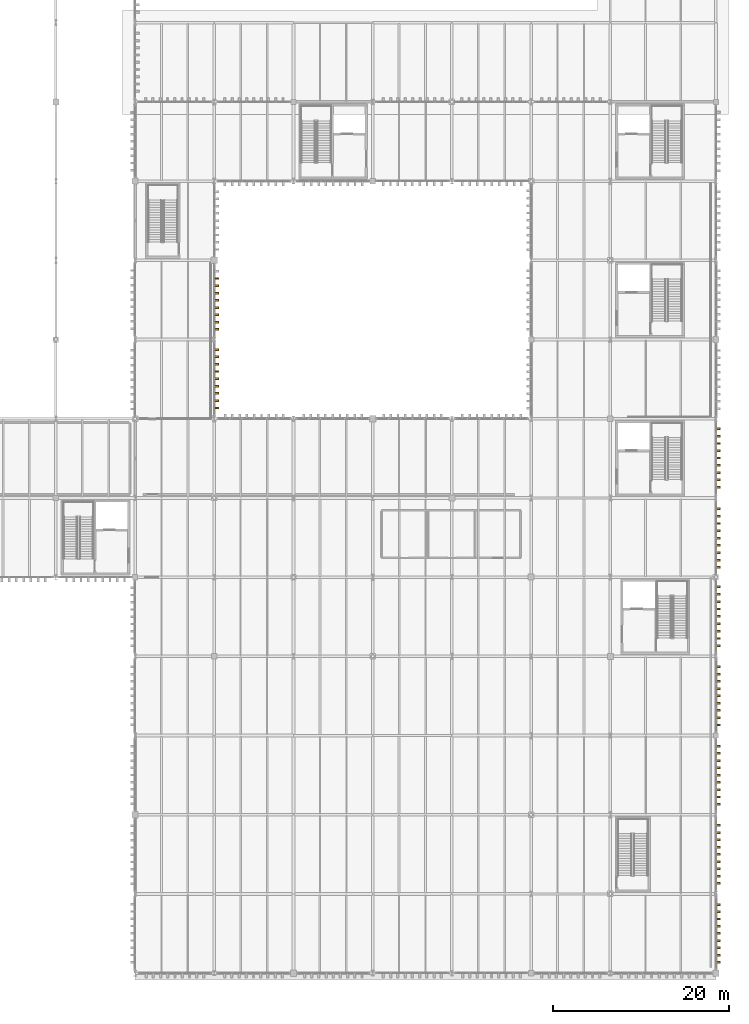
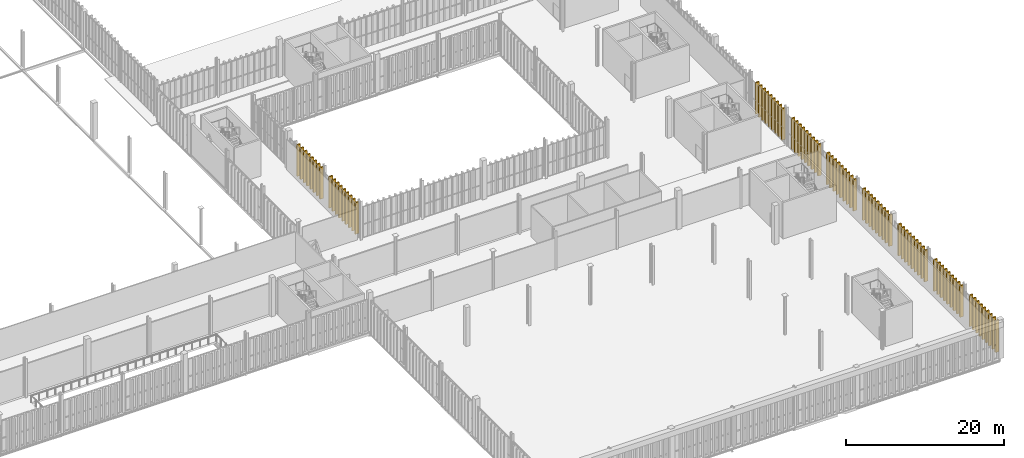
# One storey, part 228 of 237: 80 shading devices.
"""IFC4 building model written with IfcOpenShell, lengths in metres."""

from ifc_helpers import new_model, si_unit, direction, frame, origin, origin_2d, place, context, subcontext, project, spatial, rectangle, extrude, material, type_object, element, save


model = new_model("IFC4")

# Units and contexts
model_context = context("Model", 3, precision=1e-05, world=origin(), true_north=direction((0.0, 1.0)))
body_context = subcontext(model_context, "Body", "Model", "MODEL_VIEW")
ifc_project = project(units=[si_unit("LENGTHUNIT", "METRE"), si_unit("AREAUNIT", "SQUARE_METRE"), si_unit("VOLUMEUNIT", "CUBIC_METRE"), si_unit("PLANEANGLEUNIT", "RADIAN"), si_unit("MASSUNIT", "GRAM", prefix="KILO")], contexts=[model_context])

# Site, building, storey
site_placement = place(None, origin())
site = spatial("IfcSite", under=ifc_project, at=site_placement, CompositionType="ELEMENT")
building_placement = place(site_placement, origin())
building = spatial("IfcBuilding", under=site, at=building_placement, Name="Barlavento Convention Centre", CompositionType="ELEMENT")
storey_placement = place(building_placement, frame((0.0, 0.0, 12.0)))
storey = spatial("IfcBuildingStorey", under=building, at=storey_placement, Name="L02", CompositionType="ELEMENT", Elevation=12.0)

# Shading devices
ifc_material = material(Name="PVDF white extruded aluminium", Category="aluminium")
shading_device_type = type_object("IfcShadingDeviceType", Name="ARC-SHD-FIN-480", PredefinedType="USERDEFINED", material=ifc_material)
for number, where, z_axis, x_axis, name in (
    (1, (192.239990234375, 1.239990234375, 0.0), (0.0, 0.0, 1.0), (0.0, 1.0, 0.0), "White vertical solar shading fin VF01"),
    (2, (192.239990234375, 2.06005859375, 0.0), (0.0, 0.0, 1.0), (0.0, 1.0, 0.0), "White vertical solar shading fin VF01"),
    (3, (192.239990234375, 2.8798828125, 0.0), (0.0, 0.0, 1.0), (0.0, 1.0, 0.0), "White vertical solar shading fin VF01"),
    (4, (192.239990234375, 3.699951171875, 0.0), (0.0, 0.0, 1.0), (0.0, 1.0, 0.0), "White vertical solar shading fin VF01"),
    (5, (192.239990234375, 4.52001953125, 0.0), (0.0, 0.0, 1.0), (0.0, 1.0, 0.0), "White vertical solar shading fin VF01"),
    (6, (192.239990234375, 5.340087890625, 0.0), (0.0, 0.0, 1.0), (0.0, 1.0, 0.0), "White vertical solar shading fin VF01"),
    (7, (192.239990234375, 6.159912109375, 0.0), (0.0, 0.0, 1.0), (0.0, 1.0, 0.0), "White vertical solar shading fin VF01"),
    (8, (192.239990234375, 6.97998046875, 0.0), (0.0, 0.0, 1.0), (0.0, 1.0, 0.0), "White vertical solar shading fin VF01"),
    (9, (192.239990234375, 7.800048828125, 0.0), (0.0, 0.0, 1.0), (0.0, 1.0, 0.0), "White vertical solar shading fin VF01"),
    (10, (192.239990234375, 10.205078125, 0.0), (0.0, 0.0, 1.0), (0.0, 1.0, 0.0), "White vertical solar shading fin VF01"),
    (11, (192.239990234375, 11.030029296875, 0.0), (0.0, 0.0, 1.0), (0.0, 1.0, 0.0), "White vertical solar shading fin VF01"),
    (12, (192.239990234375, 11.85498046875, 0.0), (0.0, 0.0, 1.0), (0.0, 1.0, 0.0), "White vertical solar shading fin VF01"),
    (13, (192.239990234375, 12.679931640625, 0.0), (0.0, 0.0, 1.0), (0.0, 1.0, 0.0), "White vertical solar shading fin VF01"),
    (14, (192.239990234375, 13.5048828125, 0.0), (0.0, 0.0, 1.0), (0.0, 1.0, 0.0), "White vertical solar shading fin VF01"),
    (15, (192.239990234375, 14.330078125, 0.0), (0.0, 0.0, 1.0), (0.0, 1.0, 0.0), "White vertical solar shading fin VF01"),
    (16, (192.239990234375, 15.155029296875, 0.0), (0.0, 0.0, 1.0), (0.0, 1.0, 0.0), "White vertical solar shading fin VF01"),
    (17, (192.239990234375, 15.97998046875, 0.0), (0.0, 0.0, 1.0), (0.0, 1.0, 0.0), "White vertical solar shading fin VF01"),
    (18, (192.239990234375, 16.804931640625, 0.0), (0.0, 0.0, 1.0), (0.0, 1.0, 0.0), "White vertical solar shading fin VF01"),
    (19, (192.239990234375, 19.196044921875, 0.0), (0.0, 0.0, 1.0), (0.0, 1.0, 0.0), "White vertical solar shading fin VF01"),
    (20, (192.239990234375, 20.02197265625, 0.0), (0.0, 0.0, 1.0), (0.0, 1.0, 0.0), "White vertical solar shading fin VF01"),
    (21, (192.239990234375, 20.847900390625, 0.0), (0.0, 0.0, 1.0), (0.0, 1.0, 0.0), "White vertical solar shading fin VF01"),
    (22, (192.239990234375, 21.674072265625, 0.0), (0.0, 0.0, 1.0), (0.0, 1.0, 0.0), "White vertical solar shading fin VF01"),
    (23, (192.239990234375, 22.5, 0.0), (0.0, 0.0, 1.0), (0.0, 1.0, 0.0), "White vertical solar shading fin VF01"),
    (24, (192.239990234375, 23.325927734375, 0.0), (0.0, 0.0, 1.0), (0.0, 1.0, 0.0), "White vertical solar shading fin VF01"),
    (25, (192.239990234375, 24.152099609375, 0.0), (0.0, 0.0, 1.0), (0.0, 1.0, 0.0), "White vertical solar shading fin VF01"),
    (26, (192.239990234375, 24.97802734375, 0.0), (0.0, 0.0, 1.0), (0.0, 1.0, 0.0), "White vertical solar shading fin VF01"),
    (27, (192.239990234375, 25.803955078125, 0.0), (0.0, 0.0, 1.0), (0.0, 1.0, 0.0), "White vertical solar shading fin VF01"),
    (28, (192.239990234375, 28.197509765625, 0.0), (0.0, 0.0, 1.0), (0.0, 1.0, 0.0), "White vertical solar shading fin VF01"),
    (29, (192.239990234375, 29.02490234375, 0.0), (0.0, 0.0, 1.0), (0.0, 1.0, 0.0), "White vertical solar shading fin VF01"),
    (30, (192.239990234375, 29.852294921875, 0.0), (0.0, 0.0, 1.0), (0.0, 1.0, 0.0), "White vertical solar shading fin VF01"),
    (31, (192.239990234375, 30.6796875, 0.0), (0.0, 0.0, 1.0), (0.0, 1.0, 0.0), "White vertical solar shading fin VF01"),
    (32, (192.239990234375, 31.507080078125, 0.0), (0.0, 0.0, 1.0), (0.0, 1.0, 0.0), "White vertical solar shading fin VF01"),
    (33, (192.239990234375, 32.33447265625, 0.0), (0.0, 0.0, 1.0), (0.0, 1.0, 0.0), "White vertical solar shading fin VF01"),
    (34, (192.239990234375, 33.161865234375, 0.0), (0.0, 0.0, 1.0), (0.0, 1.0, 0.0), "White vertical solar shading fin VF01"),
    (35, (192.239990234375, 33.9892578125, 0.0), (0.0, 0.0, 1.0), (0.0, 1.0, 0.0), "White vertical solar shading fin VF01"),
    (36, (192.239990234375, 34.816650390625, 0.0), (0.0, 0.0, 1.0), (0.0, 1.0, 0.0), "White vertical solar shading fin VF01"),
    (37, (192.239990234375, 37.193115234375, 0.0), (0.0, 0.0, 1.0), (0.0, 1.0, 0.0), "White vertical solar shading fin VF01"),
    (38, (192.239990234375, 38.0302734375, 0.0), (0.0, 0.0, 1.0), (0.0, 1.0, 0.0), "White vertical solar shading fin VF01"),
    (39, (192.239990234375, 38.8671875, 0.0), (0.0, 0.0, 1.0), (0.0, 1.0, 0.0), "White vertical solar shading fin VF01"),
    (40, (192.239990234375, 39.704345703125, 0.0), (0.0, 0.0, 1.0), (0.0, 1.0, 0.0), "White vertical solar shading fin VF01"),
    (41, (192.239990234375, 40.54150390625, 0.0), (0.0, 0.0, 1.0), (0.0, 1.0, 0.0), "White vertical solar shading fin VF01"),
    (42, (192.239990234375, 41.37841796875, 0.0), (0.0, 0.0, 1.0), (0.0, 1.0, 0.0), "White vertical solar shading fin VF01"),
    (43, (192.239990234375, 42.215576171875, 0.0), (0.0, 0.0, 1.0), (0.0, 1.0, 0.0), "White vertical solar shading fin VF01"),
    (44, (192.239990234375, 43.052490234375, 0.0), (0.0, 0.0, 1.0), (0.0, 1.0, 0.0), "White vertical solar shading fin VF01"),
    (45, (192.239990234375, 43.8896484375, 0.0), (0.0, 0.0, 1.0), (0.0, 1.0, 0.0), "White vertical solar shading fin VF01"),
    (46, (192.239990234375, 46.10546875, 0.0), (0.0, 0.0, 1.0), (0.0, 1.0, 0.0), "White vertical solar shading fin VF01"),
    (47, (192.239990234375, 46.937744140625, 0.0), (0.0, 0.0, 1.0), (0.0, 1.0, 0.0), "White vertical solar shading fin VF01"),
    (48, (192.239990234375, 47.77001953125, 0.0), (0.0, 0.0, 1.0), (0.0, 1.0, 0.0), "White vertical solar shading fin VF01"),
    (49, (192.239990234375, 48.602294921875, 0.0), (0.0, 0.0, 1.0), (0.0, 1.0, 0.0), "White vertical solar shading fin VF01"),
    (50, (192.239990234375, 49.4345703125, 0.0), (0.0, 0.0, 1.0), (0.0, 1.0, 0.0), "White vertical solar shading fin VF01"),
    (51, (192.239990234375, 50.266845703125, 0.0), (0.0, 0.0, 1.0), (0.0, 1.0, 0.0), "White vertical solar shading fin VF01"),
    (52, (192.239990234375, 51.09912109375, 0.0), (0.0, 0.0, 1.0), (0.0, 1.0, 0.0), "White vertical solar shading fin VF01"),
    (53, (192.239990234375, 51.931396484375, 0.0), (0.0, 0.0, 1.0), (0.0, 1.0, 0.0), "White vertical solar shading fin VF01"),
    (54, (192.239990234375, 52.763671875, 0.0), (0.0, 0.0, 1.0), (0.0, 1.0, 0.0), "White vertical solar shading fin VF01"),
    (55, (192.239990234375, 55.23046875, 0.0), (0.0, 0.0, 1.0), (0.0, 1.0, 0.0), "White vertical solar shading fin VF01"),
    (56, (192.239990234375, 56.056884765625, 0.0), (0.0, 0.0, 1.0), (0.0, 1.0, 0.0), "White vertical solar shading fin VF01"),
    (57, (192.239990234375, 56.88330078125, 0.0), (0.0, 0.0, 1.0), (0.0, 1.0, 0.0), "White vertical solar shading fin VF01"),
    (58, (192.239990234375, 57.709716796875, 0.0), (0.0, 0.0, 1.0), (0.0, 1.0, 0.0), "White vertical solar shading fin VF01"),
    (59, (192.239990234375, 58.535888671875, 0.0), (0.0, 0.0, 1.0), (0.0, 1.0, 0.0), "White vertical solar shading fin VF01"),
    (60, (192.239990234375, 59.3623046875, 0.0), (0.0, 0.0, 1.0), (0.0, 1.0, 0.0), "White vertical solar shading fin VF01"),
    (61, (192.239990234375, 60.188720703125, 0.0), (0.0, 0.0, 1.0), (0.0, 1.0, 0.0), "White vertical solar shading fin VF01"),
    (62, (192.239990234375, 61.01513671875, 0.0), (0.0, 0.0, 1.0), (0.0, 1.0, 0.0), "White vertical solar shading fin VF01"),
    (63, (192.239990234375, 61.841552734375, 0.0), (0.0, 0.0, 1.0), (0.0, 1.0, 0.0), "White vertical solar shading fin VF01"),
    (64, (135.239990234375, 64.222412109375, 0.0), (0.0, 0.0, 1.0), (0.0, 1.0, 0.0), "White vertical solar shading fin VF01"),
    (65, (135.239990234375, 65.05078125, 0.0), (0.0, 0.0, 1.0), (0.0, 1.0, 0.0), "White vertical solar shading fin VF01"),
    (66, (135.239990234375, 65.879150390625, 0.0), (0.0, 0.0, 1.0), (0.0, 1.0, 0.0), "White vertical solar shading fin VF01"),
    (67, (135.239990234375, 66.70751953125, 0.0), (0.0, 0.0, 1.0), (0.0, 1.0, 0.0), "White vertical solar shading fin VF01"),
    (68, (135.239990234375, 67.535888671875, 0.0), (0.0, 0.0, 1.0), (0.0, 1.0, 0.0), "White vertical solar shading fin VF01"),
    (69, (135.239990234375, 68.364501953125, 0.0), (0.0, 0.0, 1.0), (0.0, 1.0, 0.0), "White vertical solar shading fin VF01"),
    (70, (135.239990234375, 69.19287109375, 0.0), (0.0, 0.0, 1.0), (0.0, 1.0, 0.0), "White vertical solar shading fin VF01"),
    (71, (135.239990234375, 70.021240234375, 0.0), (0.0, 0.0, 1.0), (0.0, 1.0, 0.0), "White vertical solar shading fin VF01"),
    (72, (135.239990234375, 70.849609375, 0.0), (0.0, 0.0, 1.0), (0.0, 1.0, 0.0), "White vertical solar shading fin VF01"),
    (73, (135.239990234375, 73.148681640625, 0.0), (0.0, 0.0, 1.0), (0.0, 1.0, 0.0), "White vertical solar shading fin VF01"),
    (74, (135.239990234375, 73.9755859375, 0.0), (0.0, 0.0, 1.0), (0.0, 1.0, 0.0), "White vertical solar shading fin VF01"),
    (75, (135.239990234375, 74.802490234375, 0.0), (0.0, 0.0, 1.0), (0.0, 1.0, 0.0), "White vertical solar shading fin VF01"),
    (76, (135.239990234375, 75.629150390625, 0.0), (0.0, 0.0, 1.0), (0.0, 1.0, 0.0), "White vertical solar shading fin VF01"),
    (77, (135.239990234375, 76.4560546875, 0.0), (0.0, 0.0, 1.0), (0.0, 1.0, 0.0), "White vertical solar shading fin VF01"),
    (78, (135.239990234375, 77.28271484375, 0.0), (0.0, 0.0, 1.0), (0.0, 1.0, 0.0), "White vertical solar shading fin VF01"),
    (79, (135.239990234375, 78.109619140625, 0.0), (0.0, 0.0, 1.0), (0.0, 1.0, 0.0), "White vertical solar shading fin VF01"),
    (80, (135.239990234375, 78.936279296875, 0.0), (0.0, 0.0, 1.0), (0.0, 1.0, 0.0), "White vertical solar shading fin VF01"),
):
    element("IfcShadingDevice", number, at=place(storey_placement, frame(where, z_axis=z_axis, x_axis=x_axis)), inside=storey, type_object=shading_device_type, Name=name, ObjectType="FIN", PredefinedType="USERDEFINED", context=body_context, shape_type="SweptSolid", body=[
        extrude(rectangle(XDim=0.219970703125, YDim=0.52001953125, at=origin_2d()), origin(), (0.0, 0.0, 1.0), 4.85009765625),
    ])

save(model, "model.ifc")
